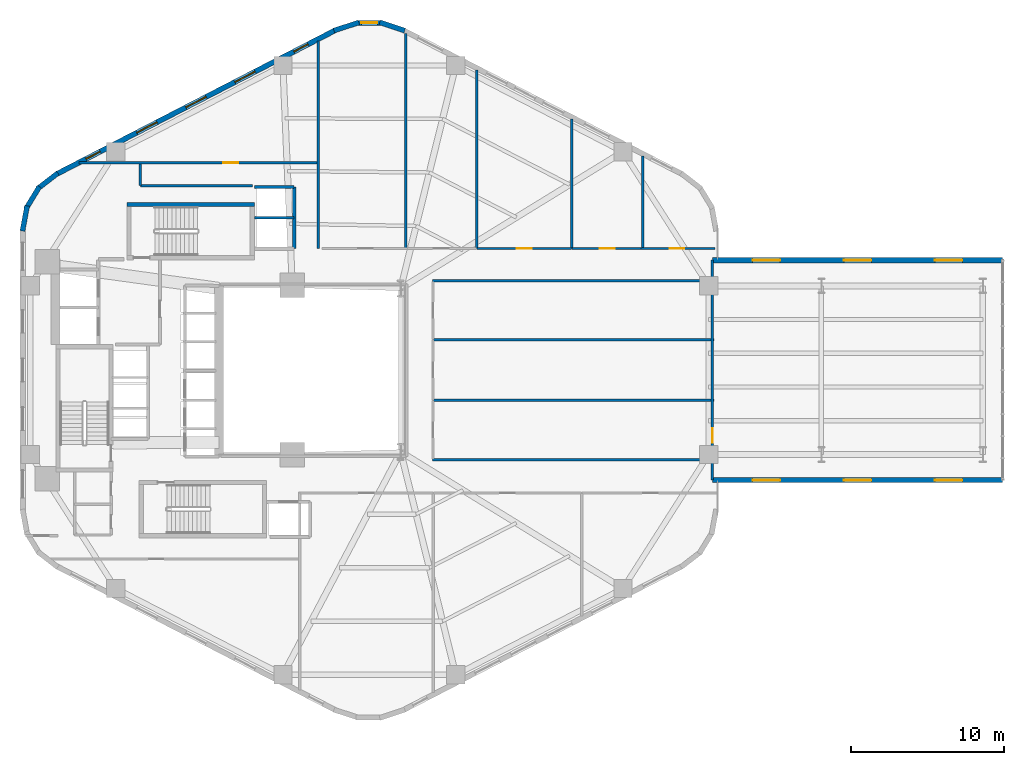
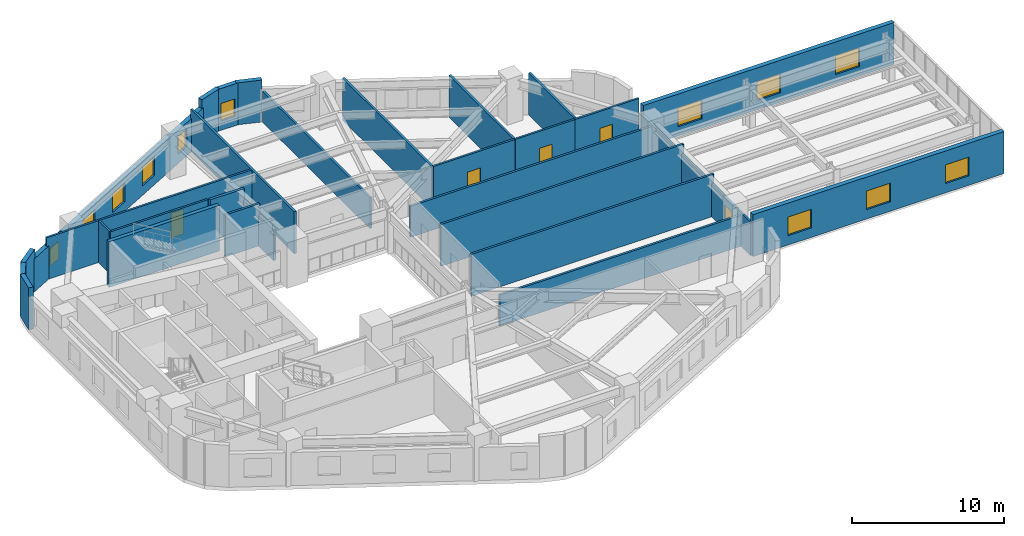
# One storey, part 7 of 10: 29 walls, 12 windows, 5 doors, 17 openings.
"""IFC4 building model written with IfcOpenShell, lengths in metres."""

from ifc_helpers import new_model, si_unit, direction, frame, frame_2d, origin, place, context, subcontext, project, spatial, rectangle, extrude, material, layer, layer_set, type_object, element, fill, save


model = new_model("IFC4")

# Units and contexts
model_context = context("Model", 3, precision=1e-05, world=origin(), true_north=direction((0.0, 1.0)))
body_context = subcontext(model_context, "Body", "Model", "MODEL_VIEW")
ifc_project = project(units=[si_unit("LENGTHUNIT", "METRE"), si_unit("AREAUNIT", "SQUARE_METRE"), si_unit("VOLUMEUNIT", "CUBIC_METRE"), si_unit("PLANEANGLEUNIT", "RADIAN"), si_unit("MASSUNIT", "GRAM", prefix="KILO"), si_unit("THERMODYNAMICTEMPERATUREUNIT", "KELVIN"), si_unit("POWERUNIT", "WATT")], contexts=[model_context])

# Site, building, storey
site_placement = place(None, origin())
site = spatial("IfcSite", under=ifc_project, at=site_placement, CompositionType="ELEMENT")
building_placement = place(site_placement, origin())
building = spatial("IfcBuilding", under=site, at=building_placement, Name="Skarre Station Tower", CompositionType="ELEMENT")
storey_placement = place(building_placement, frame((0.0, 0.0, 52.550048828125)))
storey = spatial("IfcBuildingStorey", under=building, at=storey_placement, Name="L13", CompositionType="ELEMENT", Elevation=52.550048828125)

# Wall, opening, door
ifc_material_1 = material(Name="Acoustic Steel-Stud Gypsum Partition", Category="steel")
ifc_layer_1 = layer(ifc_material_1, 0.14990234375, Name="Acoustic Steel-Stud Gypsum Partition")
ifc_layer_set_1 = layer_set([ifc_layer_1], Name="Acoustic Steel-Stud Gypsum Partition")
wall_type_1 = type_object("IfcWallType", Name="Fire-Rated Corridor Acoustic Partition 150", PredefinedType="PARTITIONING", material=ifc_layer_set_1)
wall_1_placement = place(storey_placement, frame((34.0, 37.580078125, 0.0), z_axis=(0.0, 0.0, 1.0), x_axis=(-1.0, 0.0, 0.0)))
wall_1 = element("IfcWall", 1, at=wall_1_placement, inside=storey, type_object=wall_type_1, Name="L13 Interior Partition WL-PT-L13-NWW1-CW", PredefinedType="PARTITIONING", context=body_context, shape_type="SweptSolid", body=[
    extrude(rectangle(XDim=15.60009765625, YDim=0.14990234375, at=frame_2d((7.800048828125, 0.0))), origin(), (0.0, 0.0, 1.0), 3.35986328125),
])
opening_1_placement = place(wall_1_placement, frame((5.195068359375, 0.0, 0.0)))
opening_1 = element("IfcOpeningElement", 2, at=opening_1_placement, cuts=wall_1, Name="Opening DR-FD60", PredefinedType="OPENING", context=body_context, shape_type="SweptSolid", body=[
    extrude(rectangle(XDim=0.9599609375, YDim=2.0, at=frame_2d((0.47998046875, 1.0))), frame((0.0, 0.0849609375, 0.0), z_axis=(0.0, -1.0, 0.0), x_axis=(1.0, 0.0, 0.0)), (0.0, 0.0, 1.0), 0.169921875),
])
ifc_material_2 = material(Name="Nordic White-Oak Veneer Solid-Core Fire Leaf", Category="wood")
door_type = type_object("IfcDoorType", Name="Corridor Suite Entry Fire Door FD60 960x2150", OperationType="SINGLE_SWING_LEFT", PredefinedType="DOOR", material=ifc_material_2)
door_1_placement = place(opening_1_placement, origin())
door_1 = element("IfcDoor", 3, at=door_1_placement, inside=storey, type_object=door_type, Name="L13 NWW1 Entry Door", OperationType="SINGLE_SWING_LEFT", OverallHeight=2.0, OverallWidth=0.9599609375, PredefinedType="DOOR", context=body_context, shape_type="SweptSolid", body=[
    extrude(rectangle(XDim=0.9599609375, YDim=2.0, at=frame_2d((0.47998046875, 1.0))), frame((0.0, 0.02490234375, 0.0), z_axis=(0.0, -1.0, 0.0), x_axis=(1.0, 0.0, 0.0)), (0.0, 0.0, 1.0), 0.050048828125),
])
fill(opening_1, door_1)

wall_2_placement = place(storey_placement, frame((50.62890625, 31.9599609375, 0.0), z_axis=(0.0, 0.0, 1.0), x_axis=(-1.0, 0.0, 0.0)))
wall_2 = element("IfcWall", 4, at=wall_2_placement, inside=storey, type_object=wall_type_1, Name="L13 Interior Partition WL-PT-L13-NW3-CW", PredefinedType="PARTITIONING", context=body_context, shape_type="SweptSolid", body=[
    extrude(rectangle(XDim=6.179931640625, YDim=0.14990234375, at=frame_2d((3.08984375, 0.0))), origin(), (0.0, 0.0, 1.0), 3.35986328125),
])
opening_2_placement = place(wall_2_placement, frame((2.610107421875, 0.0, 0.0)))
opening_2 = element("IfcOpeningElement", 5, at=opening_2_placement, cuts=wall_2, Name="Opening DR-FD60", PredefinedType="OPENING", context=body_context, shape_type="SweptSolid", body=[
    extrude(rectangle(XDim=0.9599609375, YDim=2.0, at=frame_2d((0.47998046875, 1.0))), frame((0.0, 0.0849609375, 0.0), z_axis=(0.0, -1.0, 0.0), x_axis=(1.0, 0.0, 0.0)), (0.0, 0.0, 1.0), 0.169921875),
])
door_2_placement = place(opening_2_placement, origin())
door_2 = element("IfcDoor", 6, at=door_2_placement, inside=storey, type_object=door_type, Name="L13 NW3 Entry Door", OperationType="SINGLE_SWING_LEFT", OverallHeight=2.0, OverallWidth=0.9599609375, PredefinedType="DOOR", context=body_context, shape_type="SweptSolid", body=[
    extrude(rectangle(XDim=0.9599609375, YDim=2.0, at=frame_2d((0.47998046875, 1.0))), frame((0.0, 0.02490234375, 0.0), z_axis=(0.0, -1.0, 0.0), x_axis=(1.0, 0.0, 0.0)), (0.0, 0.0, 1.0), 0.050048828125),
])
fill(opening_2, door_2)

wall_3_placement = place(storey_placement, frame((55.174072265625, 31.9599609375, 0.0), z_axis=(0.0, 0.0, 1.0), x_axis=(-1.0, 0.0, 0.0)))
wall_3 = element("IfcWall", 7, at=wall_3_placement, inside=storey, type_object=wall_type_1, Name="L13 Interior Partition WL-PT-L13-NW4-CW", PredefinedType="PARTITIONING", context=body_context, shape_type="SweptSolid", body=[
    extrude(rectangle(XDim=4.51318359375, YDim=0.14990234375, at=frame_2d((2.256591796875, 0.0))), origin(), (0.0, 0.0, 1.0), 3.35986328125),
])
opening_3_placement = place(wall_3_placement, frame((1.719970703125, 0.0, 0.0)))
opening_3 = element("IfcOpeningElement", 8, at=opening_3_placement, cuts=wall_3, Name="Opening DR-FD60", PredefinedType="OPENING", context=body_context, shape_type="SweptSolid", body=[
    extrude(rectangle(XDim=0.9599609375, YDim=2.0, at=frame_2d((0.47998046875, 1.0))), frame((0.0, 0.0849609375, 0.0), z_axis=(0.0, -1.0, 0.0), x_axis=(1.0, 0.0, 0.0)), (0.0, 0.0, 1.0), 0.169921875),
])
door_3_placement = place(opening_3_placement, origin())
door_3 = element("IfcDoor", 9, at=door_3_placement, inside=storey, type_object=door_type, Name="L13 NW4 Entry Door", OperationType="SINGLE_SWING_LEFT", OverallHeight=2.0, OverallWidth=0.9599609375, PredefinedType="DOOR", context=body_context, shape_type="SweptSolid", body=[
    extrude(rectangle(XDim=0.9599609375, YDim=2.0, at=frame_2d((0.47998046875, 1.0))), frame((0.0, 0.02490234375, 0.0), z_axis=(0.0, -1.0, 0.0), x_axis=(1.0, 0.0, 0.0)), (0.0, 0.0, 1.0), 0.050048828125),
])
fill(opening_3, door_3)

wall_4_placement = place(storey_placement, frame((60.031982421875, 31.9599609375, 0.0), z_axis=(0.0, 0.0, 1.0), x_axis=(-1.0, 0.0, 0.0)))
wall_4 = element("IfcWall", 10, at=wall_4_placement, inside=storey, type_object=wall_type_1, Name="L13 Interior Partition WL-PT-L13-NW5-CW", PredefinedType="PARTITIONING", context=body_context, shape_type="SweptSolid", body=[
    extrude(rectangle(XDim=4.847900390625, YDim=0.14990234375, at=frame_2d((2.423828125, 0.0))), origin(), (0.0, 0.0, 1.0), 3.35986328125),
])
opening_4_placement = place(wall_4_placement, frame((2.0009765625, 0.0, 0.0)))
opening_4 = element("IfcOpeningElement", 11, at=opening_4_placement, cuts=wall_4, Name="Opening DR-FD60", PredefinedType="OPENING", context=body_context, shape_type="SweptSolid", body=[
    extrude(rectangle(XDim=0.9599609375, YDim=2.0, at=frame_2d((0.47998046875, 1.0))), frame((0.0, 0.0849609375, 0.0), z_axis=(0.0, -1.0, 0.0), x_axis=(1.0, 0.0, 0.0)), (0.0, 0.0, 1.0), 0.169921875),
])
door_4_placement = place(opening_4_placement, origin())
door_4 = element("IfcDoor", 12, at=door_4_placement, inside=storey, type_object=door_type, Name="L13 NW5 Entry Door", OperationType="SINGLE_SWING_LEFT", OverallHeight=2.0, OverallWidth=0.9599609375, PredefinedType="DOOR", context=body_context, shape_type="SweptSolid", body=[
    extrude(rectangle(XDim=0.9599609375, YDim=2.0, at=frame_2d((0.47998046875, 1.0))), frame((0.0, 0.02490234375, 0.0), z_axis=(0.0, -1.0, 0.0), x_axis=(1.0, 0.0, 0.0)), (0.0, 0.0, 1.0), 0.050048828125),
])
fill(opening_4, door_4)

# Walls
wall_5_placement = place(storey_placement, frame((29.7529296875, 36.080078125, 0.0), z_axis=(0.0, 0.0, 1.0), x_axis=(-1.0, 0.0, 0.0)))
element("IfcWall", 13, at=wall_5_placement, inside=storey, type_object=wall_type_1, Name="L13 Interior Partition WL-PT-L13-CSEAL-1", PredefinedType="PARTITIONING", context=body_context, shape_type="SweptSolid", body=[
    extrude(rectangle(XDim=7.35302734375, YDim=0.14990234375, at=frame_2d((3.676513671875, 0.0))), origin(), (0.0, 0.0, 1.0), 3.35986328125),
])
wall_6_placement = place(storey_placement, frame((22.39990234375, 36.080078125, 0.0), z_axis=(0.0, 0.0, 1.0), x_axis=(0.0, 1.0, 0.0)))
element("IfcWall", 14, at=wall_6_placement, inside=storey, type_object=wall_type_1, Name="L13 Interior Partition WL-PT-L13-CSEAL-2", PredefinedType="PARTITIONING", context=body_context, shape_type="SweptSolid", body=[
    extrude(rectangle(XDim=1.429931640625, YDim=0.14990234375, at=frame_2d((0.71484375, 0.0))), origin(), (0.0, 0.0, 1.0), 3.35986328125),
])

# Wall, openings, windows
ifc_material_3 = material(Name="Precast concrete C45/55", Category="concrete")
ifc_layer_2 = layer(ifc_material_3, 0.340087890625, Name="Precast concrete C45/55")
ifc_layer_set_2 = layer_set([ifc_layer_2], Name="Precast concrete C45/55")
wall_type_2 = type_object("IfcWallType", Name="Nordic Honed Precast Facet Wall 340", PredefinedType="STANDARD", material=ifc_layer_set_2)
wall_7_placement = place(storey_placement, frame((16.924072265625, 36.841064453125, 0.0), z_axis=(0.0, 0.0, 1.0), x_axis=(0.888634413993, 0.458616264721, 0.0)))
wall_7 = element("IfcWall", 15, at=wall_7_placement, inside=storey, type_object=wall_type_2, Name="L13 Facet 1 Nordic Precast Masonry Wall", PredefinedType="STANDARD", context=body_context, shape_type="SweptSolid", body=[
    extrude(rectangle(XDim=20.53125, YDim=0.340087890625, at=frame_2d((10.265625, 0.0))), origin(), (0.0, 0.0, 1.0), 2.654052734375),
])
opening_5_placement = place(wall_7_placement, frame((2.160888671875, 0.0, 0.75)))
opening_5 = element("IfcOpeningElement", 16, at=opening_5_placement, cuts=wall_7, Name="Opening WN-SLT", PredefinedType="OPENING", context=body_context, shape_type="SweptSolid", body=[
    extrude(rectangle(XDim=1.050048828125, YDim=1.39990234375, at=frame_2d((0.52490234375, 0.699951171875))), frame((0.0, 0.179931640625, 0.0), z_axis=(0.0, -1.0, 0.0), x_axis=(1.0, 0.0, 0.0)), (0.0, 0.0, 1.0), 0.360107421875),
])
opening_6_placement = place(wall_7_placement, frame((5.903076171875, 0.0, 0.75)))
opening_6 = element("IfcOpeningElement", 17, at=opening_6_placement, cuts=wall_7, Name="Opening WN-Z1B", PredefinedType="OPENING", context=body_context, shape_type="SweptSolid", body=[
    extrude(rectangle(XDim=1.5, YDim=1.5, at=frame_2d((0.75, 0.75))), frame((0.0, 0.179931640625, 0.0), z_axis=(0.0, -1.0, 0.0), x_axis=(1.0, 0.0, 0.0)), (0.0, 0.0, 1.0), 0.360107421875),
])
opening_7_placement = place(wall_7_placement, frame((9.51611328125, 0.0, 0.75)))
opening_7 = element("IfcOpeningElement", 18, at=opening_7_placement, cuts=wall_7, Name="Opening WN-Z1B", PredefinedType="OPENING", context=body_context, shape_type="SweptSolid", body=[
    extrude(rectangle(XDim=1.5, YDim=1.5, at=frame_2d((0.75, 0.75))), frame((0.0, 0.179931640625, 0.0), z_axis=(0.0, -1.0, 0.0), x_axis=(1.0, 0.0, 0.0)), (0.0, 0.0, 1.0), 0.360107421875),
])
opening_8_placement = place(wall_7_placement, frame((13.12890625, 0.0, 0.75)))
opening_8 = element("IfcOpeningElement", 19, at=opening_8_placement, cuts=wall_7, Name="Opening WN-Z1B", PredefinedType="OPENING", context=body_context, shape_type="SweptSolid", body=[
    extrude(rectangle(XDim=1.5, YDim=1.5, at=frame_2d((0.75, 0.75))), frame((0.0, 0.179931640625, 0.0), z_axis=(0.0, -1.0, 0.0), x_axis=(1.0, 0.0, 0.0)), (0.0, 0.0, 1.0), 0.360107421875),
])
opening_9_placement = place(wall_7_placement, frame((17.47607421875, 0.0, 0.75)))
opening_9 = element("IfcOpeningElement", 20, at=opening_9_placement, cuts=wall_7, Name="Opening WN-SLT", PredefinedType="OPENING", context=body_context, shape_type="SweptSolid", body=[
    extrude(rectangle(XDim=1.050048828125, YDim=1.39990234375, at=frame_2d((0.52490234375, 0.699951171875))), frame((0.0, 0.179931640625, 0.0), z_axis=(0.0, -1.0, 0.0), x_axis=(1.0, 0.0, 0.0)), (0.0, 0.0, 1.0), 0.360107421875),
])
ifc_material_4 = material(Name="Low-Iron Triple Glazing with Bronze Anodized Frame", Category="glass")
window_type_1 = type_object("IfcWindowType", Name="Nordic Corner Slot Window 1050x1400", PartitioningType="SINGLE_PANEL", PredefinedType="WINDOW", material=ifc_material_4)
window_1_placement = place(opening_5_placement, origin())
window_1 = element("IfcWindow", 21, at=window_1_placement, inside=storey, type_object=window_type_1, Name="L13 Facade Window WL-FAC-L13-F1-1", OverallHeight=1.39990234375, OverallWidth=1.050048828125, PartitioningType="SINGLE_PANEL", PredefinedType="WINDOW", context=body_context, shape_type="SweptSolid", body=[
    extrude(rectangle(XDim=1.050048828125, YDim=1.39990234375, at=frame_2d((0.52490234375, 0.699951171875))), frame((0.0, 0.030029296875, 0.0), z_axis=(0.0, -1.0, 0.0), x_axis=(1.0, 0.0, 0.0)), (0.0, 0.0, 1.0), 0.06005859375),
])
fill(opening_5, window_1)
window_2_placement = place(opening_9_placement, origin())
window_2 = element("IfcWindow", 22, at=window_2_placement, inside=storey, type_object=window_type_1, Name="L13 Facade Window WL-FAC-L13-F1-5", OverallHeight=1.39990234375, OverallWidth=1.050048828125, PartitioningType="SINGLE_PANEL", PredefinedType="WINDOW", context=body_context, shape_type="SweptSolid", body=[
    extrude(rectangle(XDim=1.050048828125, YDim=1.39990234375, at=frame_2d((0.52490234375, 0.699951171875))), frame((0.0, 0.030029296875, 0.0), z_axis=(0.0, -1.0, 0.0), x_axis=(1.0, 0.0, 0.0)), (0.0, 0.0, 1.0), 0.06005859375),
])
fill(opening_9, window_2)
window_type_2 = type_object("IfcWindowType", Name="Nordic Punched Triple-Glazed Window 1500x1500", PartitioningType="SINGLE_PANEL", PredefinedType="WINDOW", material=ifc_material_4)
window_3_placement = place(opening_6_placement, origin())
window_3 = element("IfcWindow", 23, at=window_3_placement, inside=storey, type_object=window_type_2, Name="L13 Facade Window WL-FAC-L13-F1-2", OverallHeight=1.5, OverallWidth=1.5, PartitioningType="SINGLE_PANEL", PredefinedType="WINDOW", context=body_context, shape_type="SweptSolid", body=[
    extrude(rectangle(XDim=1.5, YDim=1.5, at=frame_2d((0.75, 0.75))), frame((0.0, 0.030029296875, 0.0), z_axis=(0.0, -1.0, 0.0), x_axis=(1.0, 0.0, 0.0)), (0.0, 0.0, 1.0), 0.06005859375),
])
fill(opening_6, window_3)
window_4_placement = place(opening_7_placement, origin())
window_4 = element("IfcWindow", 24, at=window_4_placement, inside=storey, type_object=window_type_2, Name="L13 Facade Window WL-FAC-L13-F1-3", OverallHeight=1.5, OverallWidth=1.5, PartitioningType="SINGLE_PANEL", PredefinedType="WINDOW", context=body_context, shape_type="SweptSolid", body=[
    extrude(rectangle(XDim=1.5, YDim=1.5, at=frame_2d((0.75, 0.75))), frame((0.0, 0.030029296875, 0.0), z_axis=(0.0, -1.0, 0.0), x_axis=(1.0, 0.0, 0.0)), (0.0, 0.0, 1.0), 0.06005859375),
])
fill(opening_7, window_4)
window_5_placement = place(opening_8_placement, origin())
window_5 = element("IfcWindow", 25, at=window_5_placement, inside=storey, type_object=window_type_2, Name="L13 Facade Window WL-FAC-L13-F1-4", OverallHeight=1.5, OverallWidth=1.5, PartitioningType="SINGLE_PANEL", PredefinedType="WINDOW", context=body_context, shape_type="SweptSolid", body=[
    extrude(rectangle(XDim=1.5, YDim=1.5, at=frame_2d((0.75, 0.75))), frame((0.0, 0.030029296875, 0.0), z_axis=(0.0, -1.0, 0.0), x_axis=(1.0, 0.0, 0.0)), (0.0, 0.0, 1.0), 0.06005859375),
])
fill(opening_8, window_5)

wall_8_placement = place(storey_placement, frame((78.863037109375, 16.800048828125, 0.0), z_axis=(0.0, 0.0, 1.0), x_axis=(-1.0, 0.0, 0.0)))
wall_8 = element("IfcWall", 26, at=wall_8_placement, inside=storey, type_object=wall_type_2, Name="L13 SB-1 Side 1 Precast Wall", PredefinedType="STANDARD", context=body_context, shape_type="SweptSolid", body=[
    extrude(rectangle(XDim=19.0, YDim=0.340087890625, at=frame_2d((9.5, 0.0))), origin(), (0.0, 0.0, 1.0), 3.35986328125),
])
opening_10_placement = place(wall_8_placement, frame((2.633056640625, 0.0, 0.75)))
opening_10 = element("IfcOpeningElement", 27, at=opening_10_placement, cuts=wall_8, Name="Opening WN-Z1A", PredefinedType="OPENING", context=body_context, shape_type="SweptSolid", body=[
    extrude(rectangle(XDim=1.800048828125, YDim=1.5, at=frame_2d((0.89990234375, 0.75))), frame((0.0, 0.179931640625, 0.0), z_axis=(0.0, -1.0, 0.0), x_axis=(1.0, 0.0, 0.0)), (0.0, 0.0, 1.0), 0.360107421875),
])
opening_11_placement = place(wall_8_placement, frame((8.60009765625, 0.0, 0.75)))
opening_11 = element("IfcOpeningElement", 28, at=opening_11_placement, cuts=wall_8, Name="Opening WN-Z1A", PredefinedType="OPENING", context=body_context, shape_type="SweptSolid", body=[
    extrude(rectangle(XDim=1.800048828125, YDim=1.5, at=frame_2d((0.89990234375, 0.75))), frame((0.0, 0.179931640625, 0.0), z_axis=(0.0, -1.0, 0.0), x_axis=(1.0, 0.0, 0.0)), (0.0, 0.0, 1.0), 0.360107421875),
])
opening_12_placement = place(wall_8_placement, frame((14.56689453125, 0.0, 0.75)))
opening_12 = element("IfcOpeningElement", 29, at=opening_12_placement, cuts=wall_8, Name="Opening WN-Z1A", PredefinedType="OPENING", context=body_context, shape_type="SweptSolid", body=[
    extrude(rectangle(XDim=1.800048828125, YDim=1.5, at=frame_2d((0.89990234375, 0.75))), frame((0.0, 0.179931640625, 0.0), z_axis=(0.0, -1.0, 0.0), x_axis=(1.0, 0.0, 0.0)), (0.0, 0.0, 1.0), 0.360107421875),
])
window_type_3 = type_object("IfcWindowType", Name="Nordic Punched Triple-Glazed Window 1800x1500", PartitioningType="SINGLE_PANEL", PredefinedType="WINDOW", material=ifc_material_4)
window_6_placement = place(opening_10_placement, origin())
window_6 = element("IfcWindow", 30, at=window_6_placement, inside=storey, type_object=window_type_3, Name="L13 Facade Window WL-SB-1-L13-S1-1", OverallHeight=1.5, OverallWidth=1.800048828125, PartitioningType="SINGLE_PANEL", PredefinedType="WINDOW", context=body_context, shape_type="SweptSolid", body=[
    extrude(rectangle(XDim=1.800048828125, YDim=1.5, at=frame_2d((0.89990234375, 0.75))), frame((0.0, 0.030029296875, 0.0), z_axis=(0.0, -1.0, 0.0), x_axis=(1.0, 0.0, 0.0)), (0.0, 0.0, 1.0), 0.06005859375),
])
fill(opening_10, window_6)
window_7_placement = place(opening_11_placement, origin())
window_7 = element("IfcWindow", 31, at=window_7_placement, inside=storey, type_object=window_type_3, Name="L13 Facade Window WL-SB-1-L13-S1-2", OverallHeight=1.5, OverallWidth=1.800048828125, PartitioningType="SINGLE_PANEL", PredefinedType="WINDOW", context=body_context, shape_type="SweptSolid", body=[
    extrude(rectangle(XDim=1.800048828125, YDim=1.5, at=frame_2d((0.89990234375, 0.75))), frame((0.0, 0.030029296875, 0.0), z_axis=(0.0, -1.0, 0.0), x_axis=(1.0, 0.0, 0.0)), (0.0, 0.0, 1.0), 0.06005859375),
])
fill(opening_11, window_7)
window_8_placement = place(opening_12_placement, origin())
window_8 = element("IfcWindow", 32, at=window_8_placement, inside=storey, type_object=window_type_3, Name="L13 Facade Window WL-SB-1-L13-S1-3", OverallHeight=1.5, OverallWidth=1.800048828125, PartitioningType="SINGLE_PANEL", PredefinedType="WINDOW", context=body_context, shape_type="SweptSolid", body=[
    extrude(rectangle(XDim=1.800048828125, YDim=1.5, at=frame_2d((0.89990234375, 0.75))), frame((0.0, 0.030029296875, 0.0), z_axis=(0.0, -1.0, 0.0), x_axis=(1.0, 0.0, 0.0)), (0.0, 0.0, 1.0), 0.06005859375),
])
fill(opening_12, window_8)

wall_9_placement = place(storey_placement, frame((59.863037109375, 31.199951171875, 0.0), z_axis=(0.0, 0.0, 1.0), x_axis=(1.0, 0.0, 0.0)))
wall_9 = element("IfcWall", 33, at=wall_9_placement, inside=storey, type_object=wall_type_2, Name="L13 SB-1 Side 2 Precast Wall", PredefinedType="STANDARD", context=body_context, shape_type="SweptSolid", body=[
    extrude(rectangle(XDim=19.0, YDim=0.340087890625, at=frame_2d((9.5, 0.0))), origin(), (0.0, 0.0, 1.0), 3.35986328125),
])
opening_13_placement = place(wall_9_placement, frame((2.633056640625, 0.0, 0.75)))
opening_13 = element("IfcOpeningElement", 34, at=opening_13_placement, cuts=wall_9, Name="Opening WN-Z1A", PredefinedType="OPENING", context=body_context, shape_type="SweptSolid", body=[
    extrude(rectangle(XDim=1.800048828125, YDim=1.5, at=frame_2d((0.89990234375, 0.75))), frame((0.0, 0.179931640625, 0.0), z_axis=(0.0, -1.0, 0.0), x_axis=(1.0, 0.0, 0.0)), (0.0, 0.0, 1.0), 0.360107421875),
])
opening_14_placement = place(wall_9_placement, frame((8.60009765625, 0.0, 0.75)))
opening_14 = element("IfcOpeningElement", 35, at=opening_14_placement, cuts=wall_9, Name="Opening WN-Z1A", PredefinedType="OPENING", context=body_context, shape_type="SweptSolid", body=[
    extrude(rectangle(XDim=1.800048828125, YDim=1.5, at=frame_2d((0.89990234375, 0.75))), frame((0.0, 0.179931640625, 0.0), z_axis=(0.0, -1.0, 0.0), x_axis=(1.0, 0.0, 0.0)), (0.0, 0.0, 1.0), 0.360107421875),
])
opening_15_placement = place(wall_9_placement, frame((14.56689453125, 0.0, 0.75)))
opening_15 = element("IfcOpeningElement", 36, at=opening_15_placement, cuts=wall_9, Name="Opening WN-Z1A", PredefinedType="OPENING", context=body_context, shape_type="SweptSolid", body=[
    extrude(rectangle(XDim=1.800048828125, YDim=1.5, at=frame_2d((0.89990234375, 0.75))), frame((0.0, 0.179931640625, 0.0), z_axis=(0.0, -1.0, 0.0), x_axis=(1.0, 0.0, 0.0)), (0.0, 0.0, 1.0), 0.360107421875),
])
window_9_placement = place(opening_13_placement, origin())
window_9 = element("IfcWindow", 37, at=window_9_placement, inside=storey, type_object=window_type_3, Name="L13 Facade Window WL-SB-1-L13-S2-1", OverallHeight=1.5, OverallWidth=1.800048828125, PartitioningType="SINGLE_PANEL", PredefinedType="WINDOW", context=body_context, shape_type="SweptSolid", body=[
    extrude(rectangle(XDim=1.800048828125, YDim=1.5, at=frame_2d((0.89990234375, 0.75))), frame((0.0, 0.030029296875, 0.0), z_axis=(0.0, -1.0, 0.0), x_axis=(1.0, 0.0, 0.0)), (0.0, 0.0, 1.0), 0.06005859375),
])
fill(opening_13, window_9)
window_10_placement = place(opening_14_placement, origin())
window_10 = element("IfcWindow", 38, at=window_10_placement, inside=storey, type_object=window_type_3, Name="L13 Facade Window WL-SB-1-L13-S2-2", OverallHeight=1.5, OverallWidth=1.800048828125, PartitioningType="SINGLE_PANEL", PredefinedType="WINDOW", context=body_context, shape_type="SweptSolid", body=[
    extrude(rectangle(XDim=1.800048828125, YDim=1.5, at=frame_2d((0.89990234375, 0.75))), frame((0.0, 0.030029296875, 0.0), z_axis=(0.0, -1.0, 0.0), x_axis=(1.0, 0.0, 0.0)), (0.0, 0.0, 1.0), 0.06005859375),
])
fill(opening_14, window_10)
window_11_placement = place(opening_15_placement, origin())
window_11 = element("IfcWindow", 39, at=window_11_placement, inside=storey, type_object=window_type_3, Name="L13 Facade Window WL-SB-1-L13-S2-3", OverallHeight=1.5, OverallWidth=1.800048828125, PartitioningType="SINGLE_PANEL", PredefinedType="WINDOW", context=body_context, shape_type="SweptSolid", body=[
    extrude(rectangle(XDim=1.800048828125, YDim=1.5, at=frame_2d((0.89990234375, 0.75))), frame((0.0, 0.030029296875, 0.0), z_axis=(0.0, -1.0, 0.0), x_axis=(1.0, 0.0, 0.0)), (0.0, 0.0, 1.0), 0.06005859375),
])
fill(opening_15, window_11)

# Wall
ifc_layer_3 = layer(ifc_material_3, 0.330078125, Name="Precast concrete C45/55")
ifc_layer_set_3 = layer_set([ifc_layer_3], Name="Precast concrete C45/55")
wall_type_3 = type_object("IfcWallType", Name="Nordic Rounded Corner Precast Wall 330", PredefinedType="STANDARD", material=ifc_layer_set_3)
wall_10_placement = place(storey_placement, frame((35.0810546875, 46.23095703125, 0.0), z_axis=(0.0, 0.0, 1.0), x_axis=(0.94976901097, 0.312951794691, 0.0)))
element("IfcWall", 40, at=wall_10_placement, inside=storey, type_object=wall_type_3, Name="L13 Rounded Corner Precast Wall F1-1", PredefinedType="STANDARD", context=body_context, shape_type="SweptSolid", body=[
    extrude(rectangle(XDim=1.722412109375, YDim=0.330078125, at=frame_2d((0.861328125, 0.0))), origin(), (0.0, 0.0, 1.0), 3.35986328125),
])

# Wall, opening, window
wall_11_placement = place(storey_placement, frame((36.5390625, 46.740966796875, 0.0), z_axis=(0.0, 0.0, 1.0), x_axis=(1.0, 0.0, 0.0)))
wall_11 = element("IfcWall", 41, at=wall_11_placement, inside=storey, type_object=wall_type_3, Name="L13 Rounded Corner Precast Wall F1-2", PredefinedType="STANDARD", context=body_context, shape_type="SweptSolid", body=[
    extrude(rectangle(XDim=1.721923828125, YDim=0.330078125, at=frame_2d((0.86083984375, 0.0))), origin(), (0.0, 0.0, 1.0), 3.35986328125),
])
opening_16_placement = place(wall_11_placement, frame((0.3359375, 0.0, 0.75)))
opening_16 = element("IfcOpeningElement", 42, at=opening_16_placement, cuts=wall_11, Name="Opening WN-SLT", PredefinedType="OPENING", context=body_context, shape_type="SweptSolid", body=[
    extrude(rectangle(XDim=1.050048828125, YDim=1.39990234375, at=frame_2d((0.52490234375, 0.699951171875))), frame((0.0, 0.175048828125, 0.0), z_axis=(0.0, -1.0, 0.0), x_axis=(1.0, 0.0, 0.0)), (0.0, 0.0, 1.0), 0.35009765625),
])
window_12_placement = place(opening_16_placement, origin())
window_12 = element("IfcWindow", 43, at=window_12_placement, inside=storey, type_object=window_type_1, Name="L13 Apex Corner Slot Window F1-2", OverallHeight=1.39990234375, OverallWidth=1.050048828125, PartitioningType="SINGLE_PANEL", PredefinedType="WINDOW", context=body_context, shape_type="SweptSolid", body=[
    extrude(rectangle(XDim=1.050048828125, YDim=1.39990234375, at=frame_2d((0.52490234375, 0.699951171875))), frame((0.0, 0.030029296875, 0.0), z_axis=(0.0, -1.0, 0.0), x_axis=(1.0, 0.0, 0.0)), (0.0, 0.0, 1.0), 0.06005859375),
])
fill(opening_16, window_12)

# Walls
wall_12_placement = place(storey_placement, frame((38.0830078125, 46.77001953125, 0.0), z_axis=(0.0, 0.0, 1.0), x_axis=(0.94976901097, -0.312951794691, 0.0)))
element("IfcWall", 44, at=wall_12_placement, inside=storey, type_object=wall_type_3, Name="L13 Rounded Corner Precast Wall F1-3", PredefinedType="STANDARD", context=body_context, shape_type="SweptSolid", body=[
    extrude(rectangle(XDim=1.722412109375, YDim=0.330078125, at=frame_2d((0.861328125, 0.0))), origin(), (0.0, 0.0, 1.0), 3.35986328125),
])
wall_13_placement = place(storey_placement, frame((14.68701171875, 33.10791015625, 0.0), z_axis=(0.0, 0.0, 1.0), x_axis=(0.181714143354, 0.983351397063, 0.0)))
element("IfcWall", 45, at=wall_13_placement, inside=storey, type_object=wall_type_3, Name="L13 Rounded Corner Precast Wall F2-1", PredefinedType="STANDARD", context=body_context, shape_type="SweptSolid", body=[
    extrude(rectangle(XDim=1.677978515625, YDim=0.330078125, at=frame_2d((0.8388671875, 0.0))), origin(), (0.0, 0.0, 1.0), 3.35986328125),
])
wall_14_placement = place(storey_placement, frame((14.925048828125, 34.5830078125, 0.0), z_axis=(0.0, 0.0, 1.0), x_axis=(0.520584129191, 0.853810379671, 0.0)))
element("IfcWall", 46, at=wall_14_placement, inside=storey, type_object=wall_type_3, Name="L13 Rounded Corner Precast Wall F2-2", PredefinedType="STANDARD", context=body_context, shape_type="SweptSolid", body=[
    extrude(rectangle(XDim=1.677001953125, YDim=0.330078125, at=frame_2d((0.83837890625, 0.0))), origin(), (0.0, 0.0, 1.0), 3.35986328125),
])
wall_15_placement = place(storey_placement, frame((15.673095703125, 35.875, 0.0), z_axis=(0.0, 0.0, 1.0), x_axis=(0.790691856293, 0.61221433207, 0.0)))
element("IfcWall", 47, at=wall_15_placement, inside=storey, type_object=wall_type_3, Name="L13 Rounded Corner Precast Wall F2-3", PredefinedType="STANDARD", context=body_context, shape_type="SweptSolid", body=[
    extrude(rectangle(XDim=1.67578125, YDim=0.330078125, at=frame_2d((0.837890625, 0.0))), origin(), (0.0, 0.0, 1.0), 3.35986328125),
])
ifc_material_5 = material(Name="Concrete C50/60", Category="concrete")
ifc_layer_4 = layer(ifc_material_5, 0.280029296875, Name="Concrete C50/60")
ifc_layer_set_4 = layer_set([ifc_layer_4], Name="Concrete C50/60")
wall_type_4 = type_object("IfcWallType", Name="RC Core Shear Wall 280", PredefinedType="SHEAR", material=ifc_layer_set_4)
wall_16_placement = place(storey_placement, frame((29.8798828125, 34.840087890625, 0.0), z_axis=(0.0, 0.0, 1.0), x_axis=(-1.0, 0.0, 0.0)))
element("IfcWall", 48, at=wall_16_placement, inside=storey, type_object=wall_type_4, Name="L13 Stair ST-3 North Shear Wall", PredefinedType="SHEAR", context=body_context, shape_type="SweptSolid", body=[
    extrude(rectangle(XDim=8.35986328125, YDim=0.280029296875, at=frame_2d((4.179931640625, 0.0))), origin(), (0.0, 0.0, 1.0), 3.64990234375),
])
ifc_material_6 = material(Name="Gypsum Concrete Shaft Assembly C30/37", Category="concrete")
ifc_layer_5 = layer(ifc_material_6, 0.199951171875, Name="Gypsum Concrete Shaft Assembly C30/37")
ifc_layer_set_5 = layer_set([ifc_layer_5], Name="Gypsum Concrete Shaft Assembly C30/37")
wall_type_5 = type_object("IfcWallType", Name="Shaft & Core Fire Partition 200", PredefinedType="PARTITIONING", material=ifc_layer_set_5)
wall_17_placement = place(storey_placement, frame((32.47998046875, 31.949951171875, 0.0), z_axis=(0.0, 0.0, 1.0), x_axis=(0.0, 1.0, 0.0)))
element("IfcWall", 49, at=wall_17_placement, inside=storey, type_object=wall_type_5, Name="L13 Interior Partition WL-PT-L13-EX-E", PredefinedType="PARTITIONING", context=body_context, shape_type="SweptSolid", body=[
    extrude(rectangle(XDim=4.050048828125, YDim=0.199951171875, at=frame_2d((2.02490234375, 0.0))), origin(), (0.0, 0.0, 1.0), 2.48291015625),
])
wall_18_placement = place(storey_placement, frame((29.8798828125, 36.0, 0.0), z_axis=(0.0, 0.0, 1.0), x_axis=(1.0, 0.0, 0.0)))
element("IfcWall", 50, at=wall_18_placement, inside=storey, type_object=wall_type_5, Name="L13 Interior Partition WL-PT-L13-EX-N", PredefinedType="PARTITIONING", context=body_context, shape_type="SweptSolid", body=[
    extrude(rectangle(XDim=2.60009765625, YDim=0.199951171875, at=frame_2d((1.300048828125, 0.0))), origin(), (0.0, 0.0, 1.0), 3.35986328125),
])
wall_19_placement = place(storey_placement, frame((29.875, 33.97998046875, 0.0), z_axis=(0.0, 0.0, 1.0), x_axis=(1.0, 0.0, 0.0)))
element("IfcWall", 51, at=wall_19_placement, inside=storey, type_object=wall_type_5, Name="L13 Interior Partition WL-PT-L13-EX-DIV", PredefinedType="PARTITIONING", context=body_context, shape_type="SweptSolid", body=[
    extrude(rectangle(XDim=2.60498046875, YDim=0.159912109375, at=frame_2d((1.302490234375, 0.0))), origin(), (0.0, 0.0, 1.0), 3.35986328125),
])
ifc_layer_6 = layer(ifc_material_1, 0.1650390625, Name="Acoustic Steel-Stud Gypsum Partition")
ifc_layer_set_6 = layer_set([ifc_layer_6], Name="Acoustic Steel-Stud Gypsum Partition")
wall_type_6 = type_object("IfcWallType", Name="Suite Demising Acoustic Partition 165", PredefinedType="PARTITIONING", material=ifc_layer_set_6)
wall_20_placement = place(storey_placement, frame((34.0400390625, 31.9599609375, 0.0), z_axis=(0.0, 0.0, 1.0), x_axis=(0.0, 1.0, 0.0)))
element("IfcWall", 52, at=wall_20_placement, inside=storey, type_object=wall_type_6, Name="L13 Interior Partition WL-PT-L13-NW-WBND", PredefinedType="PARTITIONING", context=body_context, shape_type="SweptSolid", body=[
    extrude(rectangle(XDim=13.5791015625, YDim=0.1650390625, at=frame_2d((6.78955078125, 0.0))), origin(), (0.0, 0.0, 1.0), 3.35986328125),
])
wall_21_placement = place(storey_placement, frame((39.77392578125, 31.969970703125, 0.0), z_axis=(0.0, 0.0, 1.0), x_axis=(0.0, 1.0, 0.0)))
element("IfcWall", 53, at=wall_21_placement, inside=storey, type_object=wall_type_6, Name="L13 Interior Partition WL-PT-L13-NW-P1", PredefinedType="PARTITIONING", context=body_context, shape_type="SweptSolid", body=[
    extrude(rectangle(XDim=14.078125, YDim=0.1650390625, at=frame_2d((7.0390625, 0.0))), origin(), (0.0, 0.0, 1.0), 2.48291015625),
])
wall_22_placement = place(storey_placement, frame((44.43310546875, 31.969970703125, 0.0), z_axis=(0.0, 0.0, 1.0), x_axis=(0.0, 1.0, 0.0)))
element("IfcWall", 54, at=wall_22_placement, inside=storey, type_object=wall_type_6, Name="L13 Interior Partition WL-PT-L13-NW-P2", PredefinedType="PARTITIONING", context=body_context, shape_type="SweptSolid", body=[
    extrude(rectangle(XDim=11.674072265625, YDim=0.1650390625, at=frame_2d((5.8369140625, 0.0))), origin(), (0.0, 0.0, 1.0), 3.35986328125),
])
wall_23_placement = place(storey_placement, frame((50.64501953125, 31.969970703125, 0.0), z_axis=(0.0, 0.0, 1.0), x_axis=(0.0, 1.0, 0.0)))
element("IfcWall", 55, at=wall_23_placement, inside=storey, type_object=wall_type_6, Name="L13 Interior Partition WL-PT-L13-NW-P3", PredefinedType="PARTITIONING", context=body_context, shape_type="SweptSolid", body=[
    extrude(rectangle(XDim=8.468017578125, YDim=0.1650390625, at=frame_2d((4.23388671875, 0.0))), origin(), (0.0, 0.0, 1.0), 3.35986328125),
])
wall_24_placement = place(storey_placement, frame((55.303955078125, 31.969970703125, 0.0), z_axis=(0.0, 0.0, 1.0), x_axis=(0.0, 1.0, 0.0)))
element("IfcWall", 56, at=wall_24_placement, inside=storey, type_object=wall_type_6, Name="L13 Interior Partition WL-PT-L13-NW-P4", PredefinedType="PARTITIONING", context=body_context, shape_type="SweptSolid", body=[
    extrude(rectangle(XDim=6.06298828125, YDim=0.1650390625, at=frame_2d((3.031494140625, 0.0))), origin(), (0.0, 0.0, 1.0), 3.35986328125),
])
for number, where, z_axis, x_axis, name in (
    (57, (41.52001953125, 18.139892578125, 0.0), (0.0, 0.0, 1.0), (1.0, 0.0, 0.0), "L13 Interior Partition WL-PT-L13-EWB-S"),
    (58, (41.52001953125, 29.860107421875, 0.0), (0.0, 0.0, 1.0), (1.0, 0.0, 0.0), "L13 Interior Partition WL-PT-L13-EWB-N"),
):
    element("IfcWall", number, at=place(storey_placement, frame(where, z_axis=z_axis, x_axis=x_axis)), inside=storey, type_object=wall_type_6, Name=name, PredefinedType="PARTITIONING", context=body_context, shape_type="SweptSolid", body=[
        extrude(rectangle(XDim=18.452880859375, YDim=0.1650390625, at=frame_2d((9.2265625, 0.0))), origin(), (0.0, 0.0, 1.0), 2.48291015625),
    ])
for number, where, z_axis, x_axis, name in (
    (59, (41.590087890625, 22.02099609375, 0.0), (0.0, 0.0, 1.0), (1.0, 0.0, 0.0), "L13 Interior Partition WL-PT-L13-EW-P1"),
    (60, (41.590087890625, 25.97900390625, 0.0), (0.0, 0.0, 1.0), (1.0, 0.0, 0.0), "L13 Interior Partition WL-PT-L13-EW-P2"),
):
    element("IfcWall", number, at=place(storey_placement, frame(where, z_axis=z_axis, x_axis=x_axis)), inside=storey, type_object=wall_type_6, Name=name, PredefinedType="PARTITIONING", context=body_context, shape_type="SweptSolid", body=[
        extrude(rectangle(XDim=18.3828125, YDim=0.1650390625, at=frame_2d((9.19140625, 0.0))), origin(), (0.0, 0.0, 1.0), 3.35986328125),
    ])

# Wall, opening, door
wall_25_placement = place(storey_placement, frame((59.863037109375, 16.800048828125, 0.0), z_axis=(0.0, 0.0, 1.0), x_axis=(0.0, 1.0, 0.0)))
wall_25 = element("IfcWall", 61, at=wall_25_placement, inside=storey, type_object=wall_type_6, Name="L13 Interior Partition WL-PT-L13-SB-1-ROOT", PredefinedType="PARTITIONING", context=body_context, shape_type="SweptSolid", body=[
    extrude(rectangle(XDim=14.39990234375, YDim=0.1650390625, at=frame_2d((7.199951171875, 0.0))), origin(), (0.0, 0.0, 1.0), 2.654052734375),
])
opening_17_placement = place(wall_25_placement, frame((2.449951171875, 0.0, 0.0)))
opening_17 = element("IfcOpeningElement", 62, at=opening_17_placement, cuts=wall_25, Name="Opening DR-FD60", PredefinedType="OPENING", context=body_context, shape_type="SweptSolid", body=[
    extrude(rectangle(XDim=0.9599609375, YDim=2.0, at=frame_2d((0.47998046875, 1.0))), frame((0.0, 0.092529296875, 0.0), z_axis=(0.0, -1.0, 0.0), x_axis=(1.0, 0.0, 0.0)), (0.0, 0.0, 1.0), 0.18505859375),
])
door_5_placement = place(opening_17_placement, origin())
door_5 = element("IfcDoor", 63, at=door_5_placement, inside=storey, type_object=door_type, Name="L13 SB-1 Horizon Salon Door", OperationType="SINGLE_SWING_LEFT", OverallHeight=2.0, OverallWidth=0.9599609375, PredefinedType="DOOR", context=body_context, shape_type="SweptSolid", body=[
    extrude(rectangle(XDim=0.9599609375, YDim=2.0, at=frame_2d((0.47998046875, 1.0))), frame((0.0, 0.02490234375, 0.0), z_axis=(0.0, -1.0, 0.0), x_axis=(1.0, 0.0, 0.0)), (0.0, 0.0, 1.0), 0.050048828125),
])
fill(opening_17, door_5)

save(model, "model.ifc")
